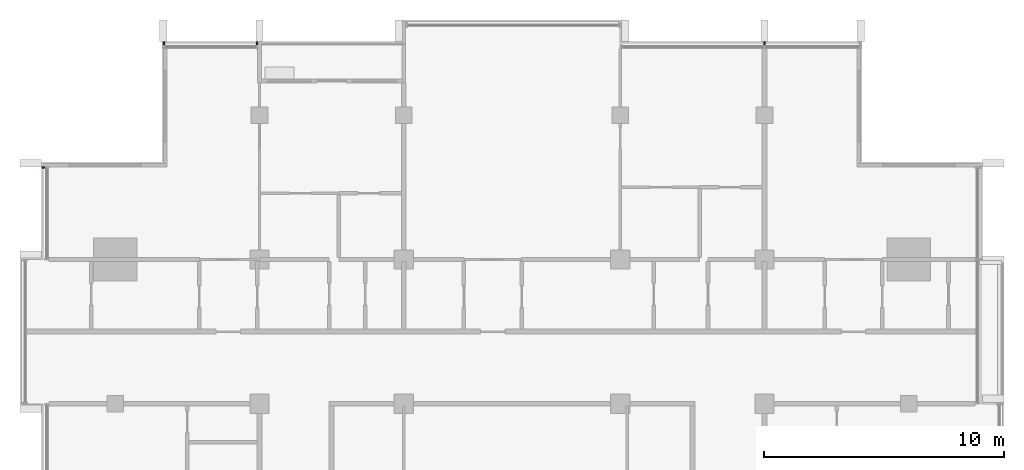
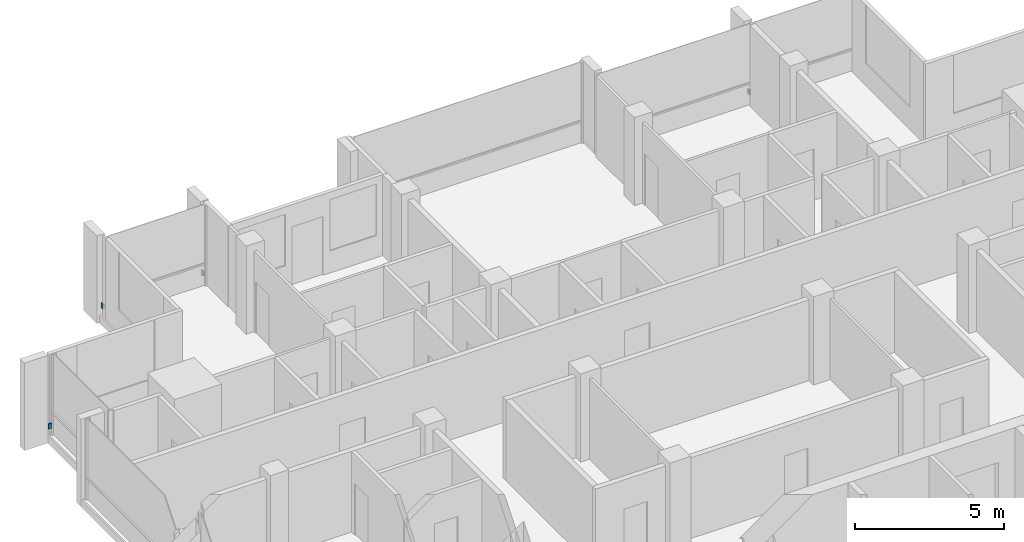
# One storey, part 14 of 16: 4 discrete accessories.
"""IFC4 building model written with IfcOpenShell, lengths in metres."""

from ifc_helpers import new_model, si_unit, direction, frame, origin, origin_2d, place, context, subcontext, project, spatial, rectangle, extrude, material, type_object, element, save


model = new_model("IFC4")

# Units and contexts
model_context = context("Model", 3, precision=1e-05, world=origin(), true_north=direction((0.0, 1.0)))
body_context = subcontext(model_context, "Body", "Model", "MODEL_VIEW")
ifc_project = project(units=[si_unit("LENGTHUNIT", "METRE"), si_unit("AREAUNIT", "SQUARE_METRE"), si_unit("VOLUMEUNIT", "CUBIC_METRE"), si_unit("PLANEANGLEUNIT", "RADIAN"), si_unit("MASSUNIT", "GRAM", prefix="KILO")], contexts=[model_context])

# Site, building, storey
site_placement = place(None, origin())
site = spatial("IfcSite", under=ifc_project, at=site_placement, CompositionType="ELEMENT")
building_placement = place(site_placement, origin())
building = spatial("IfcBuilding", under=site, at=building_placement, Name="Finial Court Residences", CompositionType="ELEMENT")
storey_placement = place(building_placement, frame((0.0, 0.0, 291.5)))
storey = spatial("IfcBuildingStorey", under=building, at=storey_placement, Name="L74", CompositionType="ELEMENT", Elevation=291.5)

# Discrete accessories
ifc_material = material(Name="Stainless steel 316", Category="steel")
discrete_accessory_type = type_object("IfcDiscreteAccessoryType", Name="Fin bracket, stainless steel 60 x 122 x 200", PredefinedType="BRACKET", material=ifc_material)
for number, where, z_axis, x_axis, name in (
    (1, (-14.469970703125, 16.498779296875, 0.2998046875), (0.0, 0.0, 1.0), (1.0, 0.0, 0.0), "E-L74-FIN-N1-BRK"),
    (2, (-10.60498046875, 16.498779296875, 0.2998046875), (0.0, 0.0, 1.0), (1.0, 0.0, 0.0), "E-L74-FIN-N2-BRK"),
    (3, (10.5, 16.498779296875, 0.2998046875), (0.0, 0.0, 1.0), (1.0, 0.0, 0.0), "E-L74-FIN-N5-BRK"),
):
    element("IfcDiscreteAccessory", number, at=place(storey_placement, frame(where, z_axis=z_axis, x_axis=x_axis)), inside=storey, type_object=discrete_accessory_type, Name=name, PredefinedType="BRACKET", context=body_context, shape_type="SweptSolid", body=[
        extrude(rectangle(XDim=0.06005859375, YDim=0.12255859375, at=origin_2d()), origin(), (0.0, 0.0, 1.0), 0.199951171875),
    ])
discrete_accessory_placement = place(storey_placement, frame((-19.498779296875, 11.320068359375, 0.2998046875), z_axis=(0.0, 0.0, 1.0), x_axis=(1.0, 0.0, 0.0)))
element("IfcDiscreteAccessory", 4, at=discrete_accessory_placement, inside=storey, type_object=discrete_accessory_type, Name="E-L74-FIN-W26-BRK", PredefinedType="BRACKET", context=body_context, shape_type="SweptSolid", body=[
    extrude(rectangle(XDim=0.12255859375, YDim=0.06005859375, at=origin_2d()), origin(), (0.0, 0.0, 1.0), 0.199951171875),
])

save(model, "model.ifc")
